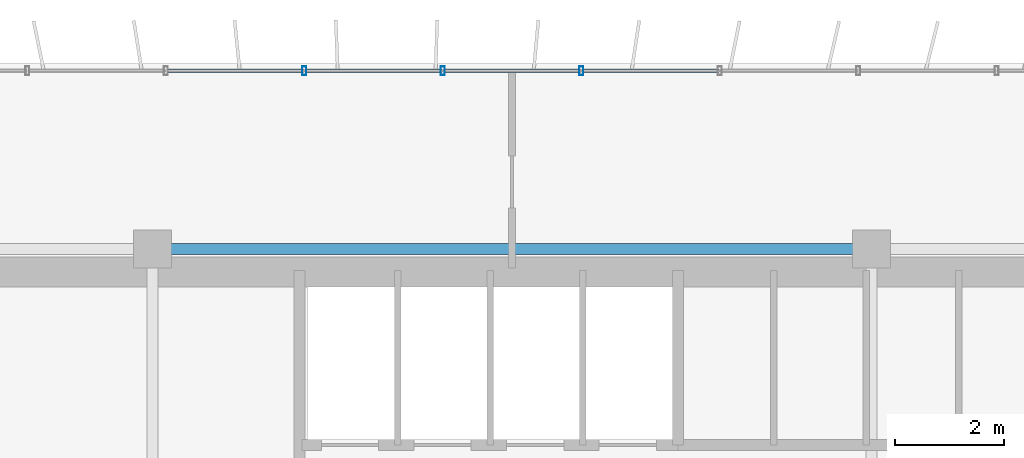
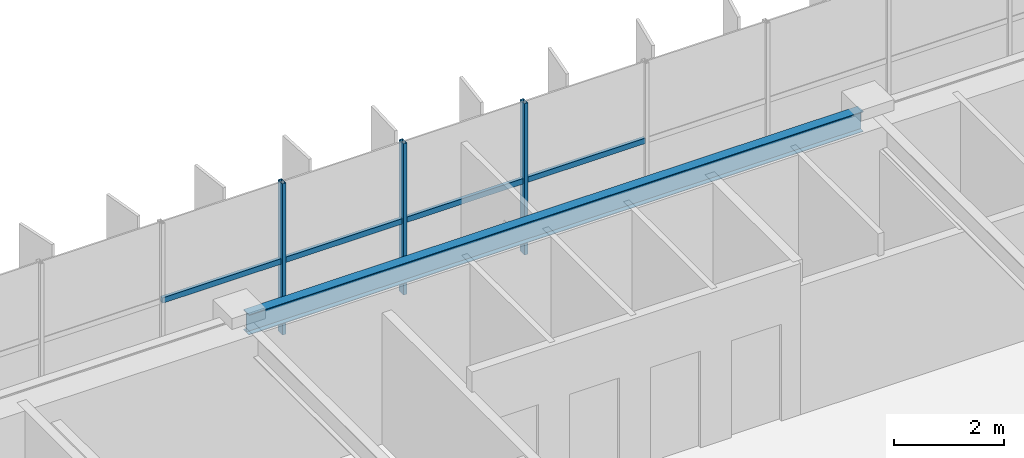
# One storey, part 9 of 23: 7 members, 1 beam, 1 element without a shape of its own.
"""IFC4 building model written with IfcOpenShell, lengths in metres."""

import ifcopenshell
import ifcopenshell.guid

model = None  # the IFC model being written
_history = None  # IfcOwnerHistory: only IFC2X3 demands one
_inside = {}  # id of a spatial element -> (the spatial element, [elements in it])
_under = {}  # id of a project, library or spatial element -> (it, [spatial elements below it])
_declared = {}  # id of a project -> (the project, [libraries it declares])
_typed = {}  # id of a type object -> (the type object, [elements of that type])
_made_of = {}  # id of a material, layer set ... -> (it, [elements and type objects made of it])


def new_model(schema):
    """Start an empty IFC model of exactly this schema.

    Asked for "IFC4X3", IfcOpenShell would pick the latest addendum, in which some entities
    have other attributes; the version numbers below select the first issue.
    IFC2X3 requires an IfcOwnerHistory on every rooted entity: one is made here for all.
    """
    global model, _history
    if schema == "IFC4X3":
        model = ifcopenshell.file(schema_version=(4, 3, 0, 0))
    else:
        model = ifcopenshell.file(schema=schema)
    _inside.clear()
    _under.clear()
    _declared.clear()
    _typed.clear()
    _made_of.clear()
    _history = None
    if model.schema == "IFC2X3":
        org = make("IfcOrganization", Name="unknown")
        user = make(
            "IfcPersonAndOrganization",
            ThePerson=make("IfcPerson", FamilyName="unknown"),
            TheOrganization=org,
        )
        app = make(
            "IfcApplication",
            ApplicationDeveloper=org,
            Version="unknown",
            ApplicationFullName="unknown",
            ApplicationIdentifier="unknown",
        )
        _history = make(
            "IfcOwnerHistory",
            OwningUser=user,
            OwningApplication=app,
            ChangeAction="ADDED",
            CreationDate=0,
        )
    return model


def make(cls, **values):
    """One entity of the class cls with the attributes given. An attribute that is None is left unset."""
    return model.create_entity(
        cls, **{name: value for name, value in values.items() if value is not None}
    )


def rooted(cls, **values):
    """An entity with a GlobalId (a new one), such as an element, a storey or a relation."""
    return make(cls, GlobalId=ifcopenshell.guid.new(), OwnerHistory=_history, **values)


def si_unit(unit_type, name, prefix=None):
    """IfcSIUnit, for example si_unit("LENGTHUNIT", "METRE", prefix="MILLI")."""
    return make("IfcSIUnit", UnitType=unit_type, Prefix=prefix, Name=name)


def assignment(units):
    """IfcUnitAssignment: the units of a project."""
    return None if units is None else make("IfcUnitAssignment", Units=units)


def point(xyz):
    """IfcCartesianPoint."""
    return None if xyz is None else make("IfcCartesianPoint", Coordinates=xyz)


def direction(xyz):
    """IfcDirection."""
    return None if xyz is None else make("IfcDirection", DirectionRatios=xyz)


def frame(location, z_axis=None, x_axis=None):
    """IfcAxis2Placement3D, a coordinate frame: its origin and axes. An axis left out is left unset."""
    return make(
        "IfcAxis2Placement3D",
        Location=point(location),
        Axis=direction(z_axis),
        RefDirection=direction(x_axis),
    )


def frame_2d(location, x_axis=None):
    """IfcAxis2Placement2D, a coordinate frame in the plane: its origin and x axis."""
    return make(
        "IfcAxis2Placement2D", Location=point(location), RefDirection=direction(x_axis)
    )


def origin():
    """The frame at (0, 0, 0) with its axes left unset."""
    return frame((0.0, 0.0, 0.0))


def origin_2d():
    """The frame at (0, 0) in the plane with its x axis left unset."""
    return frame_2d((0.0, 0.0))


def place(relative_to, where):
    """IfcLocalPlacement: puts the frame where relative to a parent placement (None: the world)."""
    return make(
        "IfcLocalPlacement", PlacementRelTo=relative_to, RelativePlacement=where
    )


def context(
    kind, dimensions, precision=None, world=None, true_north=None, identifier=None
):
    """IfcGeometricRepresentationContext, for example the 3D "Model" context."""
    return make(
        "IfcGeometricRepresentationContext",
        ContextIdentifier=identifier,
        ContextType=kind,
        CoordinateSpaceDimension=dimensions,
        Precision=precision,
        WorldCoordinateSystem=world,
        TrueNorth=true_north,
    )


def subcontext(parent, identifier, kind, view, scale=None):
    """IfcGeometricRepresentationSubContext, for example "Body" below "Model"."""
    return make(
        "IfcGeometricRepresentationSubContext",
        ContextIdentifier=identifier,
        ContextType=kind,
        ParentContext=parent,
        TargetScale=scale,
        TargetView=view,
    )


def project(units=None, contexts=None):
    """IfcProject with its units and contexts."""
    return rooted(
        "IfcProject",
        Name="project",
        RepresentationContexts=contexts,
        UnitsInContext=assignment(units),
    )


def spatial(cls, under=None, at=None, **own):
    """A site, building, storey or space (cls), placed at a placement, below another one or the project."""
    s = rooted(cls, ObjectPlacement=at, **own)
    if under is not None:
        _under.setdefault(under.id(), (under, []))[1].append(s)
    return s


def profile(cls, at=None, kind="AREA", **sizes):
    """A parametric profile (cls). Its sizes go by their IFC names, for example OverallWidth=200.0."""
    return make(cls, ProfileType=kind, Position=at, **sizes)


def hollow_rectangle(**sizes):
    """IfcRectangleHollowProfileDef."""
    return profile("IfcRectangleHollowProfileDef", **sizes)


def i_section(**sizes):
    """IfcIShapeProfileDef."""
    return profile("IfcIShapeProfileDef", **sizes)


def extrude(swept, where, along, depth):
    """IfcExtrudedAreaSolid: the profile swept, set in the frame where, extruded along a direction by depth."""
    return make(
        "IfcExtrudedAreaSolid",
        SweptArea=swept,
        Position=where,
        ExtrudedDirection=direction(along),
        Depth=depth,
    )


def shape(context_of_items, identifier, shape_type, items):
    """IfcShapeRepresentation: the items that make up one representation, for example the "Body"."""
    return make(
        "IfcShapeRepresentation",
        ContextOfItems=context_of_items,
        RepresentationIdentifier=identifier,
        RepresentationType=shape_type,
        Items=items,
    )


def source(mapping_origin, context_of_items, identifier, shape_type, items):
    """IfcRepresentationMap: a shape defined once, which mapped items show again and again."""
    return make(
        "IfcRepresentationMap",
        MappingOrigin=mapping_origin,
        MappedRepresentation=shape(context_of_items, identifier, shape_type, items),
    )


def transform(
    local_origin,
    x_axis=None,
    y_axis=None,
    z_axis=None,
    scale=None,
    scale2=None,
    scale3=None,
    uniform=True,
):
    """IfcCartesianTransformationOperator3D, or its non-uniform kind. x_axis, y_axis, z_axis: its Axis1, 2, 3."""
    if uniform:
        return make(
            "IfcCartesianTransformationOperator3D",
            Axis1=direction(x_axis),
            Axis2=direction(y_axis),
            LocalOrigin=point(local_origin),
            Scale=scale,
            Axis3=direction(z_axis),
        )
    return make(
        "IfcCartesianTransformationOperator3DnonUniform",
        Axis1=direction(x_axis),
        Axis2=direction(y_axis),
        LocalOrigin=point(local_origin),
        Scale=scale,
        Axis3=direction(z_axis),
        Scale2=scale2,
        Scale3=scale3,
    )


def mapped(mapping_source, mapping_target):
    """IfcMappedItem: shows the shape of a source again, moved by a transform."""
    return make(
        "IfcMappedItem", MappingSource=mapping_source, MappingTarget=mapping_target
    )


def material(Name=None, Category=None):
    """IfcMaterial."""
    return make("IfcMaterial", Name=Name, Category=Category)


def material_profile(
    of_material, cross_section, Name=None, Category=None, Priority=None
):
    """IfcMaterialProfile: a cross section and its material."""
    return make(
        "IfcMaterialProfile",
        Name=Name,
        Material=of_material,
        Profile=cross_section,
        Priority=Priority,
        Category=Category,
    )


def profile_set(profiles, Name=None, composite=None):
    """IfcMaterialProfileSet."""
    return make(
        "IfcMaterialProfileSet",
        Name=Name,
        MaterialProfiles=profiles,
        CompositeProfile=composite,
    )


def made_of(thing, what):
    """Note that an element or type object is made of a material, layer set ...; save() writes the relation."""
    if what is not None:
        _made_of.setdefault(what.id(), (what, []))[1].append(thing)
    return thing


def type_object(cls, material=None, **own):
    """A type object (cls), such as IfcWallType, which elements share."""
    return made_of(rooted(cls, **own), material)


def element(
    cls,
    number,
    at=None,
    inside=None,
    cuts=None,
    type_object=None,
    material=None,
    context=None,
    identifier="Body",
    shape_type=None,
    held_by="IfcProductDefinitionShape",
    body=None,
    shapes=None,
    **own,
):
    """One element of the class cls, such as IfcWall. Its Tag is "e" and its number.

    at: its placement. inside: the storey or other place that contains it. cuts: it is an
    opening in that element (IfcRelVoidsElement). A single representation is given by context,
    identifier, shape_type and body (its items); several are given by shapes. held_by: the class
    of the entity that holds the representations. save() writes the other relations.
    """
    e = rooted(cls, Tag="e%d" % number, ObjectPlacement=at, **own)
    if body is not None:
        shapes = [shape(context, identifier, shape_type, body)]
    if shapes is not None:
        e.Representation = make(held_by, Representations=shapes)
    if inside is not None:
        _inside.setdefault(inside.id(), (inside, []))[1].append(e)
    if cuts is not None:
        rooted(
            "IfcRelVoidsElement", RelatingBuildingElement=cuts, RelatedOpeningElement=e
        )
    if type_object is not None:
        _typed.setdefault(type_object.id(), (type_object, []))[1].append(e)
    return made_of(e, material)


def aggregate(whole, parts):
    """IfcRelAggregates: a whole, such as a stair, and the parts it consists of."""
    return rooted("IfcRelAggregates", RelatingObject=whole, RelatedObjects=parts)


def save(model, path):
    """Write the relations noted so far, then the file.

    IfcRelAggregates (storeys below a building ...), IfcRelContainedInSpatialStructure (elements
    in a storey), IfcRelDefinesByType, IfcRelAssociatesMaterial and IfcRelDeclares: one each for
    every whole, place, type object, material and project.
    """
    for whole, parts in _under.values():
        aggregate(whole, parts)
    for where, things in _inside.values():
        rooted(
            "IfcRelContainedInSpatialStructure",
            RelatedElements=things,
            RelatingStructure=where,
        )
    for kind, things in _typed.values():
        rooted("IfcRelDefinesByType", RelatedObjects=things, RelatingType=kind)
    for what, things in _made_of.values():
        rooted("IfcRelAssociatesMaterial", RelatedObjects=things, RelatingMaterial=what)
    for by, libraries in _declared.values():
        rooted("IfcRelDeclares", RelatingContext=by, RelatedDefinitions=libraries)
    model.write(path)


model = new_model("IFC4")

# Units and contexts
model_context = context("Model", 3, precision=1e-05, world=origin(), true_north=direction((0.0, 1.0)))
body_context = subcontext(model_context, "Body", "Model", "MODEL_VIEW")
ifc_project = project(units=[si_unit("LENGTHUNIT", "METRE"), si_unit("AREAUNIT", "SQUARE_METRE"), si_unit("VOLUMEUNIT", "CUBIC_METRE"), si_unit("PLANEANGLEUNIT", "RADIAN"), si_unit("MASSUNIT", "GRAM", prefix="KILO")], contexts=[model_context])

# Site, building, storey
site_placement = place(None, origin())
site = spatial("IfcSite", under=ifc_project, at=site_placement, CompositionType="ELEMENT")
building_placement = place(site_placement, origin())
building = spatial("IfcBuilding", under=site, at=building_placement, Name="Trelvane Seafront Commons", CompositionType="ELEMENT")
storey_placement = place(building_placement, frame((0.0, 0.0, 190.5)))
storey = spatial("IfcBuildingStorey", under=building, at=storey_placement, Name="L49", CompositionType="ELEMENT", Elevation=190.5)

# Beam
ifc_material_1 = material(Name="Steel SM355 (S355)", Category="steel")
ifc_material_profile_1 = material_profile(ifc_material_1, i_section(OverallWidth=0.199951171875, OverallDepth=0.449951171875, WebThickness=0.009033203125, FlangeThickness=0.013916015625, at=origin_2d()), Name="H-450x200x9x14")
ifc_profile_set_1 = profile_set([ifc_material_profile_1], Name="Steel SM355 (S355)")
beam_type = type_object("IfcBeamType", Name="STR-SPD-H450", PredefinedType="SPANDREL", material=ifc_profile_set_1)
shared_shape_1 = source(origin(), body_context, "Body", "SweptSolid", [
    extrude(i_section(OverallWidth=0.199951171875, OverallDepth=0.449951171875, WebThickness=0.009033203125, FlangeThickness=0.013916015625, at=origin_2d()), origin(), (0.0, 0.0, 1.0), 12.89990234375),
])
beam_placement = place(storey_placement, frame((30.75, 45.10009765625, 3.135009765625), z_axis=(1.0, 0.0, 0.0), x_axis=(0.0, 1.0, 0.0)))
element("IfcBeam", 1, at=beam_placement, inside=storey, type_object=beam_type, Name="L49 Primary Girder G-25", PredefinedType="SPANDREL", context=body_context, shape_type="MappedRepresentation", body=[
    mapped(shared_shape_1, transform((0.0, 0.0, 0.0), x_axis=(1.0, 0.0, 0.0), y_axis=(0.0, 1.0, 0.0), z_axis=(0.0, 0.0, 1.0), scale=1.0)),
])

# Curtain wall, members
ifc_material_2 = material(Name="Anodised pale-silver aluminium", Category="aluminium")
curtain_wall_type = type_object("IfcCurtainWallType", Name="ARCH-CW5-UPTOWER", PredefinedType="NOTDEFINED", material=ifc_material_2)
curtain_wall_placement = place(storey_placement, origin())
curtain_wall = element("IfcCurtainWall", 2, at=curtain_wall_placement, inside=storey, type_object=curtain_wall_type, Name="CW-L49-0077", PredefinedType="NOTDEFINED")
ifc_material_profile_2 = material_profile(ifc_material_2, hollow_rectangle(XDim=0.070068359375, YDim=0.1201171875, WallThickness=0.00390625, at=origin_2d()), Name="TRAN-70x120x4")
ifc_profile_set_2 = profile_set([ifc_material_profile_2], Name="Anodised pale-silver aluminium")
member_type_1 = type_object("IfcMemberType", Name="ARCH-CW-TRAN-120", PredefinedType="USERDEFINED", material=ifc_profile_set_2)
shared_shape_2 = source(origin(), body_context, "Body", "SweptSolid", [
    extrude(hollow_rectangle(XDim=0.070068359375, YDim=0.1201171875, WallThickness=0.00390625, at=origin_2d()), origin(), (0.0, 0.0, 1.0), 2.51708984375),
])
member_1_placement = place(storey_placement, frame((30.859130859375, 48.3701171875, 1.613037109375), z_axis=(1.0, 0.0, 0.0), x_axis=(0.0, 1.0, 0.0)))
member_1 = element("IfcMember", 3, at=member_1_placement, type_object=member_type_1, Name="CW-L49-0077-T06", ObjectType="TRANSOM", PredefinedType="USERDEFINED", context=body_context, shape_type="MappedRepresentation", body=[
    mapped(shared_shape_2, transform((0.0, 0.0, 0.0), x_axis=(1.0, 0.0, 0.0), y_axis=(0.0, 1.0, 0.0), z_axis=(0.0, 0.0, 1.0), scale=1.0)),
])
member_2_placement = place(storey_placement, frame((35.94140625, 48.3701171875, 1.613037109375), z_axis=(1.0, 0.0, 0.0), x_axis=(0.0, 1.0, 0.0)))
member_2 = element("IfcMember", 4, at=member_2_placement, type_object=member_type_1, Name="CW-L49-0077-T08", ObjectType="TRANSOM", PredefinedType="USERDEFINED", context=body_context, shape_type="MappedRepresentation", body=[
    mapped(shared_shape_2, transform((0.0, 0.0, 0.0), x_axis=(1.0, 0.0, 0.0), y_axis=(0.0, 1.0, 0.0), z_axis=(0.0, 0.0, 1.0), scale=1.0)),
])
member_3_placement = place(storey_placement, frame((38.482666015625, 48.3701171875, 1.613037109375), z_axis=(1.0, 0.0, 0.0), x_axis=(0.0, 1.0, 0.0)))
member_3 = element("IfcMember", 5, at=member_3_placement, type_object=member_type_1, Name="CW-L49-0077-T09", ObjectType="TRANSOM", PredefinedType="USERDEFINED", context=body_context, shape_type="MappedRepresentation", body=[
    mapped(shared_shape_2, transform((0.0, 0.0, 0.0), x_axis=(1.0, 0.0, 0.0), y_axis=(0.0, 1.0, 0.0), z_axis=(0.0, 0.0, 1.0), scale=1.0)),
])
shared_shape_3 = source(origin(), body_context, "Body", "SweptSolid", [
    extrude(hollow_rectangle(XDim=0.070068359375, YDim=0.1201171875, WallThickness=0.00390625, at=origin_2d()), origin(), (0.0, 0.0, 1.0), 2.517333984375),
])
member_4_placement = place(storey_placement, frame((33.400146484375, 48.3701171875, 1.613037109375), z_axis=(1.0, 0.0, 0.0), x_axis=(0.0, 1.0, 0.0)))
member_4 = element("IfcMember", 6, at=member_4_placement, type_object=member_type_1, Name="CW-L49-0077-T07", ObjectType="TRANSOM", PredefinedType="USERDEFINED", context=body_context, shape_type="MappedRepresentation", body=[
    mapped(shared_shape_3, transform((0.0, 0.0, 0.0), x_axis=(1.0, 0.0, 0.0), y_axis=(0.0, 1.0, 0.0), z_axis=(0.0, 0.0, 1.0), scale=1.0)),
])
ifc_material_profile_3 = material_profile(ifc_material_2, hollow_rectangle(XDim=0.074951171875, YDim=0.159912109375, WallThickness=0.00390625, at=origin_2d()), Name="MULL-75x160x4")
ifc_profile_set_3 = profile_set([ifc_material_profile_3], Name="Anodised pale-silver aluminium")
member_type_2 = type_object("IfcMemberType", Name="ARCH-CW-MULL-160", PredefinedType="MULLION", material=ifc_profile_set_3)
shared_shape_4 = source(origin(), body_context, "Body", "SweptSolid", [
    extrude(hollow_rectangle(XDim=0.074951171875, YDim=0.159912109375, WallThickness=0.00390625, at=origin_2d()), origin(), (0.0, 0.0, 1.0), 3.360107421875),
])
member_5_placement = place(storey_placement, frame((33.38818359375, 48.3701171875, 0.0), z_axis=(0.0, 0.0, 1.0), x_axis=(1.0, 0.0, 0.0)))
member_5 = element("IfcMember", 7, at=member_5_placement, type_object=member_type_2, Name="CW-L49-0077-M07", PredefinedType="MULLION", context=body_context, shape_type="MappedRepresentation", body=[
    mapped(shared_shape_4, transform((0.0, 0.0, 0.0), x_axis=(1.0, 0.0, 0.0), y_axis=(0.0, 1.0, 0.0), z_axis=(0.0, 0.0, 1.0), scale=1.0)),
])
member_6_placement = place(storey_placement, frame((35.929443359375, 48.3701171875, 0.0), z_axis=(0.0, 0.0, 1.0), x_axis=(1.0, 0.0, 0.0)))
member_6 = element("IfcMember", 8, at=member_6_placement, type_object=member_type_2, Name="CW-L49-0077-M08", PredefinedType="MULLION", context=body_context, shape_type="MappedRepresentation", body=[
    mapped(shared_shape_4, transform((0.0, 0.0, 0.0), x_axis=(1.0, 0.0, 0.0), y_axis=(0.0, 1.0, 0.0), z_axis=(0.0, 0.0, 1.0), scale=1.0)),
])
member_7_placement = place(storey_placement, frame((38.470703125, 48.3701171875, 0.0), z_axis=(0.0, 0.0, 1.0), x_axis=(1.0, 0.0, 0.0)))
member_7 = element("IfcMember", 9, at=member_7_placement, type_object=member_type_2, Name="CW-L49-0077-M09", PredefinedType="MULLION", context=body_context, shape_type="MappedRepresentation", body=[
    mapped(shared_shape_4, transform((0.0, 0.0, 0.0), x_axis=(1.0, 0.0, 0.0), y_axis=(0.0, 1.0, 0.0), z_axis=(0.0, 0.0, 1.0), scale=1.0)),
])
aggregate(curtain_wall, [member_5, member_6, member_7, member_1, member_4, member_2, member_3])

save(model, "model.ifc")
